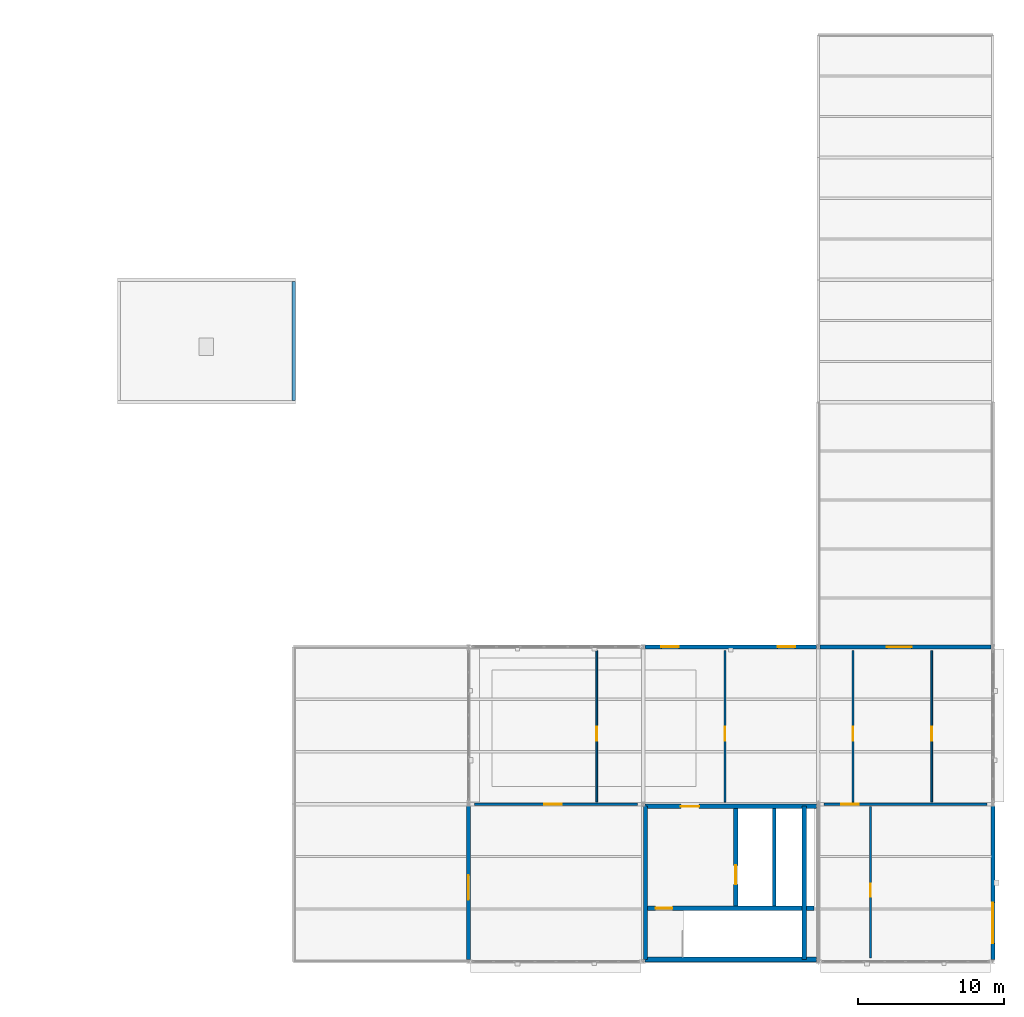
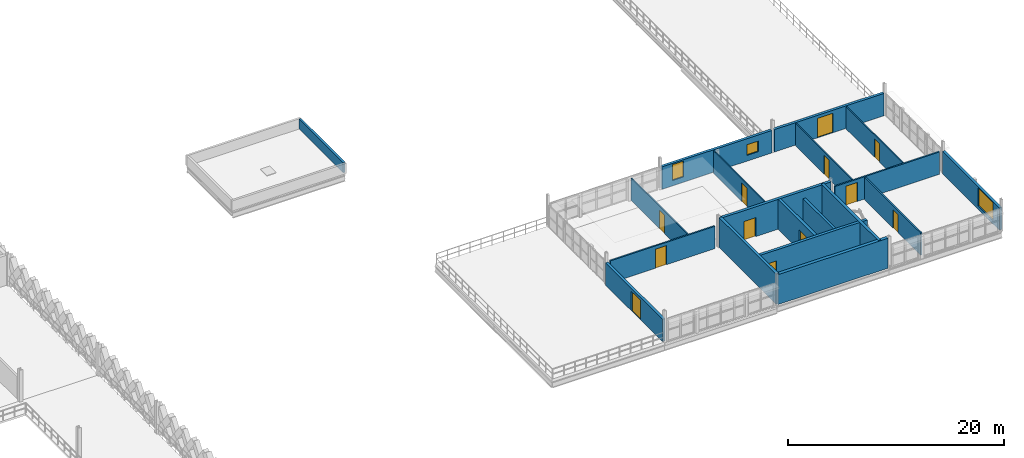
# One storey, part 52 of 62: 19 walls, 12 doors, 3 windows, 15 openings.
"""IFC4 building model written with IfcOpenShell, lengths in metres."""

from ifc_helpers import new_model, si_unit, direction, frame, frame_2d, origin, place, context, subcontext, project, spatial, rectangle, extrude, material, layer, layer_set, type_object, element, fill, save


model = new_model("IFC4")

# Units and contexts
model_context = context("Model", 3, precision=1e-05, world=origin(), true_north=direction((0.0, 1.0)))
body_context = subcontext(model_context, "Body", "Model", "MODEL_VIEW")
ifc_project = project(units=[si_unit("LENGTHUNIT", "METRE"), si_unit("AREAUNIT", "SQUARE_METRE"), si_unit("VOLUMEUNIT", "CUBIC_METRE"), si_unit("PLANEANGLEUNIT", "RADIAN"), si_unit("MASSUNIT", "GRAM", prefix="KILO"), si_unit("THERMODYNAMICTEMPERATUREUNIT", "KELVIN"), si_unit("POWERUNIT", "WATT")], contexts=[model_context])

# Site, building, storey
site_placement = place(None, origin())
site = spatial("IfcSite", under=ifc_project, at=site_placement, CompositionType="ELEMENT")
building_placement = place(site_placement, origin())
building = spatial("IfcBuilding", under=site, at=building_placement, Name="Tembeka Court Mobility Hub", CompositionType="ELEMENT")
storey_placement = place(building_placement, frame((0.0, 0.0, 16.199951171875)))
storey = spatial("IfcBuildingStorey", under=building, at=storey_placement, Name="L04", CompositionType="ELEMENT", Elevation=16.199951171875)

# Wall, opening, door
ifc_material_1 = material(Name="Precast concrete C45/55", Category="concrete")
ifc_layer_1 = layer(ifc_material_1, 0.280029296875)
ifc_layer_set_1 = layer_set([ifc_layer_1], Name="Precast concrete C45/55")
wall_type_1 = type_object("IfcWallType", Name="WL-EW02", PredefinedType="STANDARD", material=ifc_layer_set_1)
wall_1_placement = place(storey_placement, frame((140.39990234375, 0.1279296875, 0.0), z_axis=(0.0, 0.0, 1.0), x_axis=(0.0, 1.0, 0.0)))
wall_1 = element("IfcWall", 1, at=wall_1_placement, inside=storey, type_object=wall_type_1, Name="External wall EW02 (EW-L04-0105)", PredefinedType="STANDARD", context=body_context, shape_type="SweptSolid", body=[
    extrude(rectangle(XDim=10.544189453125, YDim=0.280029296875, at=frame_2d((5.27197265625, 0.0))), origin(), (0.0, 0.0, 1.0), 2.53515625),
])
opening_1_placement = place(wall_1_placement, frame((4.10009765625, 0.0, 0.0)))
opening_1 = element("IfcOpeningElement", 2, at=opening_1_placement, cuts=wall_1, Name="Opening ED03", PredefinedType="OPENING", context=body_context, shape_type="SweptSolid", body=[
    extrude(rectangle(XDim=1.699951171875, YDim=2.199951171875, at=frame_2d((0.85009765625, 1.10009765625))), frame((0.0, 0.14990234375, 0.0), z_axis=(0.0, -1.0, 0.0), x_axis=(1.0, 0.0, 0.0)), (0.0, 0.0, 1.0), 0.300048828125),
])
ifc_material_2 = material(Name="Powder-coated aluminium glazed doorset", Category="aluminium")
door_type_1 = type_object("IfcDoorType", Name="DR-ED03", OperationType="NOTDEFINED", PredefinedType="DOOR", material=ifc_material_2)
door_1_placement = place(opening_1_placement, origin())
door_1 = element("IfcDoor", 3, at=door_1_placement, inside=storey, type_object=door_type_1, Name="L04 west roof-garden door ED03-A", OperationType="DOUBLE_DOOR_SINGLE_SWING", OverallHeight=2.199951171875, OverallWidth=1.699951171875, PredefinedType="DOOR", context=body_context, shape_type="SweptSolid", body=[
    extrude(rectangle(XDim=1.699951171875, YDim=2.199951171875, at=frame_2d((0.85009765625, 1.10009765625))), frame((0.0, 0.02490234375, 0.0), z_axis=(0.0, -1.0, 0.0), x_axis=(1.0, 0.0, 0.0)), (0.0, 0.0, 1.0), 0.050048828125),
])
fill(opening_1, door_1)

wall_2_placement = place(storey_placement, frame((164.52587890625, 21.60009765625, 0.0), z_axis=(0.0, 0.0, 1.0), x_axis=(1.0, 0.0, 0.0)))
wall_2 = element("IfcWall", 4, at=wall_2_placement, inside=storey, type_object=wall_type_1, Name="External wall EW02 (EW-L04-0106)", PredefinedType="STANDARD", context=body_context, shape_type="SweptSolid", body=[
    extrude(rectangle(XDim=11.748046875, YDim=0.280029296875, at=frame_2d((5.8740234375, 0.0))), origin(), (0.0, 0.0, 1.0), 2.53515625),
])
opening_2_placement = place(wall_2_placement, frame((4.60009765625, 0.0, 0.0)))
opening_2 = element("IfcOpeningElement", 5, at=opening_2_placement, cuts=wall_2, Name="Opening ED03", PredefinedType="OPENING", context=body_context, shape_type="SweptSolid", body=[
    extrude(rectangle(XDim=1.699951171875, YDim=2.199951171875, at=frame_2d((0.85009765625, 1.10009765625))), frame((0.0, 0.14990234375, 0.0), z_axis=(0.0, -1.0, 0.0), x_axis=(1.0, 0.0, 0.0)), (0.0, 0.0, 1.0), 0.300048828125),
])
door_2_placement = place(opening_2_placement, origin())
door_2 = element("IfcDoor", 6, at=door_2_placement, inside=storey, type_object=door_type_1, Name="L04 east roof-garden door ED03-B", OperationType="DOUBLE_DOOR_SINGLE_SWING", OverallHeight=2.199951171875, OverallWidth=1.699951171875, PredefinedType="DOOR", context=body_context, shape_type="SweptSolid", body=[
    extrude(rectangle(XDim=1.699951171875, YDim=2.199951171875, at=frame_2d((0.85009765625, 1.10009765625))), frame((0.0, 0.02490234375, 0.0), z_axis=(0.0, -1.0, 0.0), x_axis=(1.0, 0.0, 0.0)), (0.0, 0.0, 1.0), 0.050048828125),
])
fill(opening_2, door_2)

# Wall, opening, window
wall_3_placement = place(storey_placement, frame((176.39990234375, 0.1279296875, 0.0), z_axis=(0.0, 0.0, 1.0), x_axis=(0.0, 1.0, 0.0)))
wall_3 = element("IfcWall", 7, at=wall_3_placement, inside=storey, type_object=wall_type_1, Name="External wall EW02 (EW-L04-0107)", PredefinedType="STANDARD", context=body_context, shape_type="SweptSolid", body=[
    extrude(rectangle(XDim=10.544189453125, YDim=0.280029296875, at=frame_2d((5.27197265625, 0.0))), origin(), (0.0, 0.0, 1.0), 2.53515625),
])
opening_3_placement = place(wall_3_placement, frame((1.1201171875, 0.0, 0.39501953125)))
opening_3 = element("IfcOpeningElement", 8, at=opening_3_placement, cuts=wall_3, Name="Opening WN17", PredefinedType="OPENING", context=body_context, shape_type="SweptSolid", body=[
    extrude(rectangle(XDim=2.800048828125, YDim=2.0, at=frame_2d((1.39990234375, 1.0))), frame((0.0, 0.14990234375, 0.0), z_axis=(0.0, -1.0, 0.0), x_axis=(1.0, 0.0, 0.0)), (0.0, 0.0, 1.0), 0.300048828125),
])
ifc_material_3 = material(Name="Laminated solar-control low-E glass", Category="glass")
window_type_1 = type_object("IfcWindowType", Name="WN-W17", PartitioningType="SINGLE_PANEL", PredefinedType="WINDOW", material=ifc_material_3)
window_1_placement = place(opening_3_placement, origin())
window_1 = element("IfcWindow", 9, at=window_1_placement, inside=storey, type_object=window_type_1, Name="Window WN17-0053", OverallHeight=2.0, OverallWidth=2.800048828125, PartitioningType="SINGLE_PANEL", PredefinedType="WINDOW", context=body_context, shape_type="SweptSolid", body=[
    extrude(rectangle(XDim=2.800048828125, YDim=2.0, at=frame_2d((1.39990234375, 1.0))), frame((0.0, 0.030029296875, 0.0), z_axis=(0.0, -1.0, 0.0), x_axis=(1.0, 0.0, 0.0)), (0.0, 0.0, 1.0), 0.06005859375),
])
fill(opening_3, window_1)

# Wall, openings, windows
wall_4_placement = place(storey_placement, frame((152.52587890625, 21.60009765625, 0.0), z_axis=(0.0, 0.0, 1.0), x_axis=(1.0, 0.0, 0.0)))
wall_4 = element("IfcWall", 10, at=wall_4_placement, inside=storey, type_object=wall_type_1, Name="External wall EW02 (EW-L04-0108)", PredefinedType="STANDARD", context=body_context, shape_type="SweptSolid", body=[
    extrude(rectangle(XDim=11.748046875, YDim=0.280029296875, at=frame_2d((5.8740234375, 0.0))), origin(), (0.0, 0.0, 1.0), 2.53515625),
])
opening_4_placement = place(wall_4_placement, frame((1.1201171875, 0.0, 0.594970703125)))
opening_4 = element("IfcOpeningElement", 11, at=opening_4_placement, cuts=wall_4, Name="Opening WN19", PredefinedType="OPENING", context=body_context, shape_type="SweptSolid", body=[
    extrude(rectangle(XDim=1.199951171875, YDim=1.800048828125, at=frame_2d((0.60009765625, 0.89990234375))), frame((0.0, 0.14990234375, 0.0), z_axis=(0.0, -1.0, 0.0), x_axis=(1.0, 0.0, 0.0)), (0.0, 0.0, 1.0), 0.300048828125),
])
opening_5_placement = place(wall_4_placement, frame((9.090087890625, 0.0, 0.64990234375)))
opening_5 = element("IfcOpeningElement", 12, at=opening_5_placement, cuts=wall_4, Name="Opening WN20", PredefinedType="OPENING", context=body_context, shape_type="SweptSolid", body=[
    extrude(rectangle(XDim=1.199951171875, YDim=1.199951171875, at=frame_2d((0.60009765625, 0.60009765625))), frame((0.0, 0.14990234375, 0.0), z_axis=(0.0, -1.0, 0.0), x_axis=(1.0, 0.0, 0.0)), (0.0, 0.0, 1.0), 0.300048828125),
])
window_type_2 = type_object("IfcWindowType", Name="WN-W19", PartitioningType="SINGLE_PANEL", PredefinedType="WINDOW", material=ifc_material_3)
window_2_placement = place(opening_4_placement, origin())
window_2 = element("IfcWindow", 13, at=window_2_placement, inside=storey, type_object=window_type_2, Name="Window WN19-0054", OverallHeight=1.800048828125, OverallWidth=1.199951171875, PartitioningType="SINGLE_PANEL", PredefinedType="WINDOW", context=body_context, shape_type="SweptSolid", body=[
    extrude(rectangle(XDim=1.199951171875, YDim=1.800048828125, at=frame_2d((0.60009765625, 0.89990234375))), frame((0.0, 0.030029296875, 0.0), z_axis=(0.0, -1.0, 0.0), x_axis=(1.0, 0.0, 0.0)), (0.0, 0.0, 1.0), 0.06005859375),
])
fill(opening_4, window_2)
window_type_3 = type_object("IfcWindowType", Name="WN-W20", PartitioningType="SINGLE_PANEL", PredefinedType="WINDOW", material=ifc_material_3)
window_3_placement = place(opening_5_placement, origin())
window_3 = element("IfcWindow", 14, at=window_3_placement, inside=storey, type_object=window_type_3, Name="Window WN20-0055", OverallHeight=1.199951171875, OverallWidth=1.199951171875, PartitioningType="SINGLE_PANEL", PredefinedType="WINDOW", context=body_context, shape_type="SweptSolid", body=[
    extrude(rectangle(XDim=1.199951171875, YDim=1.199951171875, at=frame_2d((0.60009765625, 0.60009765625))), frame((0.0, 0.030029296875, 0.0), z_axis=(0.0, -1.0, 0.0), x_axis=(1.0, 0.0, 0.0)), (0.0, 0.0, 1.0), 0.06005859375),
])
fill(opening_5, window_3)

# Wall
ifc_material_4 = material(Name="Concrete C40/50", Category="concrete")
ifc_layer_2 = layer(ifc_material_4, 0.25)
ifc_layer_set_2 = layer_set([ifc_layer_2], Name="Concrete C40/50")
wall_type_2 = type_object("IfcWallType", Name="WL-IW01", PredefinedType="PARTITIONING", material=ifc_layer_set_2)
wall_5_placement = place(storey_placement, frame((161.39990234375, 3.800048828125, 0.0), z_axis=(0.0, 0.0, 1.0), x_axis=(0.0, 1.0, 0.0)))
element("IfcWall", 15, at=wall_5_placement, inside=storey, type_object=wall_type_2, Name="Wall IW01 (IW-L04-0335)", PredefinedType="PARTITIONING", context=body_context, shape_type="SweptSolid", body=[
    extrude(rectangle(XDim=6.699951171875, YDim=0.25, at=frame_2d((3.35009765625, 0.0))), origin(), (0.0, 0.0, 1.0), 2.525146484375),
])

# Wall, opening, door
ifc_material_5 = material(Name="Acoustic metal-stud gypsum partition", Category="masonry")
ifc_layer_3 = layer(ifc_material_5, 0.159912109375)
ifc_layer_set_3 = layer_set([ifc_layer_3], Name="Acoustic metal-stud gypsum partition")
wall_type_3 = type_object("IfcWallType", Name="WL-IW04", PredefinedType="PARTITIONING", material=ifc_layer_set_3)
wall_6_placement = place(storey_placement, frame((140.800048828125, 10.800048828125, 0.0), z_axis=(0.0, 0.0, 1.0), x_axis=(1.0, 0.0, 0.0)))
wall_6 = element("IfcWall", 16, at=wall_6_placement, inside=storey, type_object=wall_type_3, Name="Wall IW04 (IW-L04-0475)", PredefinedType="PARTITIONING", context=body_context, shape_type="SweptSolid", body=[
    extrude(rectangle(XDim=11.199951171875, YDim=0.159912109375, at=frame_2d((5.60009765625, 0.0))), origin(), (0.0, 0.0, 1.0), 2.525146484375),
])
opening_6_placement = place(wall_6_placement, frame((4.800048828125, 0.0, 0.0)))
opening_6 = element("IfcOpeningElement", 17, at=opening_6_placement, cuts=wall_6, Name="Opening ID04", PredefinedType="OPENING", context=body_context, shape_type="SweptSolid", body=[
    extrude(rectangle(XDim=1.199951171875, YDim=2.14990234375, at=frame_2d((0.60009765625, 1.074951171875))), frame((0.0, 0.08984375, 0.0), z_axis=(0.0, -1.0, 0.0), x_axis=(1.0, 0.0, 0.0)), (0.0, 0.0, 1.0), 0.179931640625),
])
door_type_2 = type_object("IfcDoorType", Name="DR-ID04", OperationType="NOTDEFINED", PredefinedType="DOOR", material=ifc_material_2)
door_3_placement = place(opening_6_placement, origin())
door_3 = element("IfcDoor", 18, at=door_3_placement, inside=storey, type_object=door_type_2, Name="Door ID04-0246", OperationType="SINGLE_SWING_RIGHT", OverallHeight=2.14990234375, OverallWidth=1.199951171875, PredefinedType="DOOR", context=body_context, shape_type="SweptSolid", body=[
    extrude(rectangle(XDim=1.199951171875, YDim=2.14990234375, at=frame_2d((0.60009765625, 1.074951171875))), frame((0.0, 0.02490234375, 0.0), z_axis=(0.0, -1.0, 0.0), x_axis=(1.0, 0.0, 0.0)), (0.0, 0.0, 1.0), 0.050048828125),
])
fill(opening_6, door_3)

wall_7_placement = place(storey_placement, frame((164.800048828125, 10.800048828125, 0.0), z_axis=(0.0, 0.0, 1.0), x_axis=(1.0, 0.0, 0.0)))
wall_7 = element("IfcWall", 19, at=wall_7_placement, inside=storey, type_object=wall_type_3, Name="Wall IW04 (IW-L04-0476)", PredefinedType="PARTITIONING", context=body_context, shape_type="SweptSolid", body=[
    extrude(rectangle(XDim=11.199951171875, YDim=0.159912109375, at=frame_2d((5.60009765625, 0.0))), origin(), (0.0, 0.0, 1.0), 2.525146484375),
])
opening_7_placement = place(wall_7_placement, frame((1.199951171875, 0.0, 0.0)))
opening_7 = element("IfcOpeningElement", 20, at=opening_7_placement, cuts=wall_7, Name="Opening ID04", PredefinedType="OPENING", context=body_context, shape_type="SweptSolid", body=[
    extrude(rectangle(XDim=1.199951171875, YDim=2.14990234375, at=frame_2d((0.60009765625, 1.074951171875))), frame((0.0, 0.08984375, 0.0), z_axis=(0.0, -1.0, 0.0), x_axis=(1.0, 0.0, 0.0)), (0.0, 0.0, 1.0), 0.179931640625),
])
door_4_placement = place(opening_7_placement, origin())
door_4 = element("IfcDoor", 21, at=door_4_placement, inside=storey, type_object=door_type_2, Name="Door ID04-0247", OperationType="SINGLE_SWING_LEFT", OverallHeight=2.14990234375, OverallWidth=1.199951171875, PredefinedType="DOOR", context=body_context, shape_type="SweptSolid", body=[
    extrude(rectangle(XDim=1.199951171875, YDim=2.14990234375, at=frame_2d((0.60009765625, 1.074951171875))), frame((0.0, 0.02490234375, 0.0), z_axis=(0.0, -1.0, 0.0), x_axis=(1.0, 0.0, 0.0)), (0.0, 0.0, 1.0), 0.050048828125),
])
fill(opening_7, door_4)

wall_8_placement = place(storey_placement, frame((168.0, 0.25, 0.0), z_axis=(0.0, 0.0, 1.0), x_axis=(0.0, 1.0, 0.0)))
wall_8 = element("IfcWall", 22, at=wall_8_placement, inside=storey, type_object=wall_type_3, Name="Wall IW04 (IW-L04-0477)", PredefinedType="PARTITIONING", context=body_context, shape_type="SweptSolid", body=[
    extrude(rectangle(XDim=10.39990234375, YDim=0.159912109375, at=frame_2d((5.199951171875, 0.0))), origin(), (0.0, 0.0, 1.0), 2.525146484375),
])
opening_8_placement = place(wall_8_placement, frame((4.199951171875, 0.0, 0.0)))
opening_8 = element("IfcOpeningElement", 23, at=opening_8_placement, cuts=wall_8, Name="Opening ID08", PredefinedType="OPENING", context=body_context, shape_type="SweptSolid", body=[
    extrude(rectangle(XDim=0.89990234375, YDim=2.050048828125, at=frame_2d((0.449951171875, 1.02490234375))), frame((0.0, 0.08984375, 0.0), z_axis=(0.0, -1.0, 0.0), x_axis=(1.0, 0.0, 0.0)), (0.0, 0.0, 1.0), 0.179931640625),
])
door_type_3 = type_object("IfcDoorType", Name="DR-ID08", OperationType="NOTDEFINED", PredefinedType="DOOR", material=ifc_material_2)
door_5_placement = place(opening_8_placement, origin())
door_5 = element("IfcDoor", 24, at=door_5_placement, inside=storey, type_object=door_type_3, Name="Door ID08-0248", OperationType="SINGLE_SWING_RIGHT", OverallHeight=2.050048828125, OverallWidth=0.89990234375, PredefinedType="DOOR", context=body_context, shape_type="SweptSolid", body=[
    extrude(rectangle(XDim=0.89990234375, YDim=2.050048828125, at=frame_2d((0.449951171875, 1.02490234375))), frame((0.0, 0.02490234375, 0.0), z_axis=(0.0, -1.0, 0.0), x_axis=(1.0, 0.0, 0.0)), (0.0, 0.0, 1.0), 0.050048828125),
])
fill(opening_8, door_5)

ifc_material_6 = material(Name="Acoustic folding partition panel", Category="aluminium")
ifc_layer_4 = layer(ifc_material_6, 0.1201171875)
ifc_layer_set_4 = layer_set([ifc_layer_4], Name="Acoustic folding partition panel")
wall_type_4 = type_object("IfcWallType", Name="WL-MV01", PredefinedType="MOVABLE", material=ifc_layer_set_4)
wall_9_placement = place(storey_placement, frame((149.199951171875, 10.949951171875, 0.0), z_axis=(0.0, 0.0, 1.0), x_axis=(0.0, 1.0, 0.0)))
wall_9 = element("IfcWall", 25, at=wall_9_placement, inside=storey, type_object=wall_type_4, Name="Wall MV01 (IW-L04-0478)", PredefinedType="MOVABLE", context=body_context, shape_type="SweptSolid", body=[
    extrude(rectangle(XDim=10.400146484375, YDim=0.1201171875, at=frame_2d((5.2001953125, 0.0))), origin(), (0.0, 0.0, 1.0), 2.525146484375),
])
opening_9_placement = place(wall_9_placement, frame((4.199951171875, 0.0, 0.0)))
opening_9 = element("IfcOpeningElement", 26, at=opening_9_placement, cuts=wall_9, Name="Opening ID01", PredefinedType="OPENING", context=body_context, shape_type="SweptSolid", body=[
    extrude(rectangle(XDim=0.949951171875, YDim=2.10009765625, at=frame_2d((0.47509765625, 1.050048828125))), frame((0.0, 0.070068359375, 0.0), z_axis=(0.0, -1.0, 0.0), x_axis=(1.0, 0.0, 0.0)), (0.0, 0.0, 1.0), 0.14013671875),
])
door_type_4 = type_object("IfcDoorType", Name="DR-ID01", OperationType="NOTDEFINED", PredefinedType="DOOR", material=ifc_material_2)
door_6_placement = place(opening_9_placement, origin())
door_6 = element("IfcDoor", 27, at=door_6_placement, inside=storey, type_object=door_type_4, Name="Door ID01-0249", OperationType="SINGLE_SWING_LEFT", OverallHeight=2.10009765625, OverallWidth=0.949951171875, PredefinedType="DOOR", context=body_context, shape_type="SweptSolid", body=[
    extrude(rectangle(XDim=0.949951171875, YDim=2.10009765625, at=frame_2d((0.47509765625, 1.050048828125))), frame((0.0, 0.02490234375, 0.0), z_axis=(0.0, -1.0, 0.0), x_axis=(1.0, 0.0, 0.0)), (0.0, 0.0, 1.0), 0.050048828125),
])
fill(opening_9, door_6)

wall_10_placement = place(storey_placement, frame((158.0, 10.949951171875, 0.0), z_axis=(0.0, 0.0, 1.0), x_axis=(0.0, 1.0, 0.0)))
wall_10 = element("IfcWall", 28, at=wall_10_placement, inside=storey, type_object=wall_type_4, Name="Wall MV01 (IW-L04-0479)", PredefinedType="MOVABLE", context=body_context, shape_type="SweptSolid", body=[
    extrude(rectangle(XDim=10.400146484375, YDim=0.1201171875, at=frame_2d((5.2001953125, 0.0))), origin(), (0.0, 0.0, 1.0), 2.525146484375),
])
opening_10_placement = place(wall_10_placement, frame((4.199951171875, 0.0, 0.0)))
opening_10 = element("IfcOpeningElement", 29, at=opening_10_placement, cuts=wall_10, Name="Opening ID01", PredefinedType="OPENING", context=body_context, shape_type="SweptSolid", body=[
    extrude(rectangle(XDim=0.949951171875, YDim=2.10009765625, at=frame_2d((0.47509765625, 1.050048828125))), frame((0.0, 0.070068359375, 0.0), z_axis=(0.0, -1.0, 0.0), x_axis=(1.0, 0.0, 0.0)), (0.0, 0.0, 1.0), 0.14013671875),
])
door_7_placement = place(opening_10_placement, origin())
door_7 = element("IfcDoor", 30, at=door_7_placement, inside=storey, type_object=door_type_4, Name="Door ID01-0250", OperationType="SINGLE_SWING_RIGHT", OverallHeight=2.10009765625, OverallWidth=0.949951171875, PredefinedType="DOOR", context=body_context, shape_type="SweptSolid", body=[
    extrude(rectangle(XDim=0.949951171875, YDim=2.10009765625, at=frame_2d((0.47509765625, 1.050048828125))), frame((0.0, 0.02490234375, 0.0), z_axis=(0.0, -1.0, 0.0), x_axis=(1.0, 0.0, 0.0)), (0.0, 0.0, 1.0), 0.050048828125),
])
fill(opening_10, door_7)

wall_11_placement = place(storey_placement, frame((166.800048828125, 10.949951171875, 0.0), z_axis=(0.0, 0.0, 1.0), x_axis=(0.0, 1.0, 0.0)))
wall_11 = element("IfcWall", 31, at=wall_11_placement, inside=storey, type_object=wall_type_4, Name="Wall MV01 (IW-L04-0480)", PredefinedType="MOVABLE", context=body_context, shape_type="SweptSolid", body=[
    extrude(rectangle(XDim=10.400146484375, YDim=0.1201171875, at=frame_2d((5.2001953125, 0.0))), origin(), (0.0, 0.0, 1.0), 2.525146484375),
])
opening_11_placement = place(wall_11_placement, frame((4.199951171875, 0.0, 0.0)))
opening_11 = element("IfcOpeningElement", 32, at=opening_11_placement, cuts=wall_11, Name="Opening ID01", PredefinedType="OPENING", context=body_context, shape_type="SweptSolid", body=[
    extrude(rectangle(XDim=0.949951171875, YDim=2.10009765625, at=frame_2d((0.47509765625, 1.050048828125))), frame((0.0, 0.070068359375, 0.0), z_axis=(0.0, -1.0, 0.0), x_axis=(1.0, 0.0, 0.0)), (0.0, 0.0, 1.0), 0.14013671875),
])
door_8_placement = place(opening_11_placement, origin())
door_8 = element("IfcDoor", 33, at=door_8_placement, inside=storey, type_object=door_type_4, Name="Door ID01-0251", OperationType="SINGLE_SWING_LEFT", OverallHeight=2.10009765625, OverallWidth=0.949951171875, PredefinedType="DOOR", context=body_context, shape_type="SweptSolid", body=[
    extrude(rectangle(XDim=0.949951171875, YDim=2.10009765625, at=frame_2d((0.47509765625, 1.050048828125))), frame((0.0, 0.02490234375, 0.0), z_axis=(0.0, -1.0, 0.0), x_axis=(1.0, 0.0, 0.0)), (0.0, 0.0, 1.0), 0.050048828125),
])
fill(opening_11, door_8)

wall_12_placement = place(storey_placement, frame((172.199951171875, 10.949951171875, 0.0), z_axis=(0.0, 0.0, 1.0), x_axis=(0.0, 1.0, 0.0)))
wall_12 = element("IfcWall", 34, at=wall_12_placement, inside=storey, type_object=wall_type_4, Name="Wall MV01 (IW-L04-0481)", PredefinedType="MOVABLE", context=body_context, shape_type="SweptSolid", body=[
    extrude(rectangle(XDim=10.400146484375, YDim=0.1201171875, at=frame_2d((5.2001953125, 0.0))), origin(), (0.0, 0.0, 1.0), 2.525146484375),
])
opening_12_placement = place(wall_12_placement, frame((4.199951171875, 0.0, 0.0)))
opening_12 = element("IfcOpeningElement", 35, at=opening_12_placement, cuts=wall_12, Name="Opening ID01", PredefinedType="OPENING", context=body_context, shape_type="SweptSolid", body=[
    extrude(rectangle(XDim=0.949951171875, YDim=2.10009765625, at=frame_2d((0.47509765625, 1.050048828125))), frame((0.0, 0.070068359375, 0.0), z_axis=(0.0, -1.0, 0.0), x_axis=(1.0, 0.0, 0.0)), (0.0, 0.0, 1.0), 0.14013671875),
])
door_9_placement = place(opening_12_placement, origin())
door_9 = element("IfcDoor", 36, at=door_9_placement, inside=storey, type_object=door_type_4, Name="Door ID01-0252", OperationType="SINGLE_SWING_RIGHT", OverallHeight=2.10009765625, OverallWidth=0.949951171875, PredefinedType="DOOR", context=body_context, shape_type="SweptSolid", body=[
    extrude(rectangle(XDim=0.949951171875, YDim=2.10009765625, at=frame_2d((0.47509765625, 1.050048828125))), frame((0.0, 0.02490234375, 0.0), z_axis=(0.0, -1.0, 0.0), x_axis=(1.0, 0.0, 0.0)), (0.0, 0.0, 1.0), 0.050048828125),
])
fill(opening_12, door_9)

# Wall
ifc_layer_5 = layer(ifc_material_1, 0.219970703125)
ifc_layer_set_5 = layer_set([ifc_layer_5], Name="Precast concrete C45/55")
wall_type_5 = type_object("IfcWallType", Name="WL-PP01", PredefinedType="PARAPET", material=ifc_layer_set_5)
wall_13_placement = place(storey_placement, frame((128.39990234375, 38.514892578125, 0.0), z_axis=(0.0, 0.0, 1.0), x_axis=(0.0, 1.0, 0.0)))
element("IfcWall", 37, at=wall_13_placement, inside=storey, type_object=wall_type_5, Name="Roof parapet wall PP01-02", PredefinedType="PARAPET", context=body_context, shape_type="SweptSolid", body=[
    extrude(rectangle(XDim=8.170166015625, YDim=0.219970703125, at=frame_2d((4.0849609375, 0.0))), origin(), (0.0, 0.0, 1.0), 1.150146484375),
])

# Wall, opening, door
ifc_layer_6 = layer(ifc_material_4, 0.300048828125)
ifc_layer_set_6 = layer_set([ifc_layer_6], Name="Concrete C40/50")
wall_type_6 = type_object("IfcWallType", Name="WL-SW01", PredefinedType="SHEAR", material=ifc_layer_set_6)
wall_14_placement = place(storey_placement, frame((152.52587890625, 10.64990234375, 0.0), z_axis=(0.0, 0.0, 1.0), x_axis=(1.0, 0.0, 0.0)))
wall_14 = element("IfcWall", 38, at=wall_14_placement, inside=storey, type_object=wall_type_6, Name="Wall SW01 (IW-L04-0330)", PredefinedType="SHEAR", context=body_context, shape_type="SweptSolid", body=[
    extrude(rectangle(XDim=11.748046875, YDim=0.300048828125, at=frame_2d((5.8740234375, 0.0))), origin(), (0.0, 0.0, 1.0), 3.380126953125),
])
opening_13_placement = place(wall_14_placement, frame((2.4541015625, 0.0, 0.0)))
opening_13 = element("IfcOpeningElement", 39, at=opening_13_placement, cuts=wall_14, Name="Opening FD01", PredefinedType="OPENING", context=body_context, shape_type="SweptSolid", body=[
    extrude(rectangle(XDim=1.25, YDim=2.14990234375, at=frame_2d((0.625, 1.074951171875))), frame((0.0, 0.16015625, 0.0), z_axis=(0.0, -1.0, 0.0), x_axis=(1.0, 0.0, 0.0)), (0.0, 0.0, 1.0), 0.320068359375),
])
ifc_material_7 = material(Name="Galvanised steel fire/shutter doorset", Category="steel")
door_type_5 = type_object("IfcDoorType", Name="DR-FD01", OperationType="NOTDEFINED", PredefinedType="DOOR", material=ifc_material_7)
door_10_placement = place(opening_13_placement, origin())
door_10 = element("IfcDoor", 40, at=door_10_placement, inside=storey, type_object=door_type_5, Name="Door FD01-0146", OperationType="SINGLE_SWING_RIGHT", OverallHeight=2.14990234375, OverallWidth=1.25, PredefinedType="DOOR", context=body_context, shape_type="SweptSolid", body=[
    extrude(rectangle(XDim=1.25, YDim=2.14990234375, at=frame_2d((0.625, 1.074951171875))), frame((0.0, 0.02490234375, 0.0), z_axis=(0.0, -1.0, 0.0), x_axis=(1.0, 0.0, 0.0)), (0.0, 0.0, 1.0), 0.050048828125),
])
fill(opening_13, door_10)

# Walls
for number, where, z_axis, x_axis, name in (
    (41, (152.550048828125, 0.1279296875, 0.0), (0.0, 0.0, 1.0), (0.0, 1.0, 0.0), "Wall SW01 (IW-L04-0331)"),
    (42, (163.449951171875, 0.1279296875, 0.0), (0.0, 0.0, 1.0), (0.0, 1.0, 0.0), "Wall SW01 (IW-L04-0332)"),
):
    element("IfcWall", number, at=place(storey_placement, frame(where, z_axis=z_axis, x_axis=x_axis)), inside=storey, type_object=wall_type_6, Name=name, PredefinedType="SHEAR", context=body_context, shape_type="SweptSolid", body=[
        extrude(rectangle(XDim=10.544189453125, YDim=0.300048828125, at=frame_2d((5.27197265625, 0.0))), origin(), (0.0, 0.0, 1.0), 3.380126953125),
    ])

# Wall, opening, door
wall_15_placement = place(storey_placement, frame((152.699951171875, 3.64990234375, 0.0), z_axis=(0.0, 0.0, 1.0), x_axis=(1.0, 0.0, 0.0)))
wall_15 = element("IfcWall", 43, at=wall_15_placement, inside=storey, type_object=wall_type_6, Name="Wall SW01 (IW-L04-0333)", PredefinedType="SHEAR", context=body_context, shape_type="SweptSolid", body=[
    extrude(rectangle(XDim=11.400146484375, YDim=0.300048828125, at=frame_2d((5.7001953125, 0.0))), origin(), (0.0, 0.0, 1.0), 3.380126953125),
])
opening_14_placement = place(wall_15_placement, frame((0.550048828125, 0.0, 0.0)))
opening_14 = element("IfcOpeningElement", 44, at=opening_14_placement, cuts=wall_15, Name="Opening FD03", PredefinedType="OPENING", context=body_context, shape_type="SweptSolid", body=[
    extrude(rectangle(XDim=1.14990234375, YDim=2.14990234375, at=frame_2d((0.574951171875, 1.074951171875))), frame((0.0, 0.16015625, 0.0), z_axis=(0.0, -1.0, 0.0), x_axis=(1.0, 0.0, 0.0)), (0.0, 0.0, 1.0), 0.320068359375),
])
door_type_6 = type_object("IfcDoorType", Name="DR-FD03", OperationType="NOTDEFINED", PredefinedType="DOOR", material=ifc_material_7)
door_11_placement = place(opening_14_placement, origin())
door_11 = element("IfcDoor", 45, at=door_11_placement, inside=storey, type_object=door_type_6, Name="Door FD03-0147", OperationType="SINGLE_SWING_LEFT", OverallHeight=2.14990234375, OverallWidth=1.14990234375, PredefinedType="DOOR", context=body_context, shape_type="SweptSolid", body=[
    extrude(rectangle(XDim=1.14990234375, YDim=2.14990234375, at=frame_2d((0.574951171875, 1.074951171875))), frame((0.0, 0.02490234375, 0.0), z_axis=(0.0, -1.0, 0.0), x_axis=(1.0, 0.0, 0.0)), (0.0, 0.0, 1.0), 0.050048828125),
])
fill(opening_14, door_11)

wall_16_placement = place(storey_placement, frame((158.75, 3.800048828125, 0.0), z_axis=(0.0, 0.0, 1.0), x_axis=(0.0, 1.0, 0.0)))
wall_16 = element("IfcWall", 46, at=wall_16_placement, inside=storey, type_object=wall_type_6, Name="Wall SW01 (IW-L04-0334)", PredefinedType="SHEAR", context=body_context, shape_type="SweptSolid", body=[
    extrude(rectangle(XDim=6.699951171875, YDim=0.300048828125, at=frame_2d((3.35009765625, 0.0))), origin(), (0.0, 0.0, 1.0), 3.380126953125),
])
opening_15_placement = place(wall_16_placement, frame((1.5, 0.0, 0.0)))
opening_15 = element("IfcOpeningElement", 47, at=opening_15_placement, cuts=wall_16, Name="Opening LD02", PredefinedType="OPENING", context=body_context, shape_type="SweptSolid", body=[
    extrude(rectangle(XDim=1.300048828125, YDim=2.300048828125, at=frame_2d((0.64990234375, 1.14990234375))), frame((0.0, 0.16015625, 0.0), z_axis=(0.0, -1.0, 0.0), x_axis=(1.0, 0.0, 0.0)), (0.0, 0.0, 1.0), 0.320068359375),
])
door_type_7 = type_object("IfcDoorType", Name="DR-LD02", OperationType="SLIDING_TO_LEFT", PredefinedType="DOOR", material=ifc_material_7)
door_12_placement = place(opening_15_placement, origin())
door_12 = element("IfcDoor", 48, at=door_12_placement, inside=storey, type_object=door_type_7, Name="Lift LF08 landing door L04", OperationType="SLIDING_TO_LEFT", OverallHeight=2.300048828125, OverallWidth=1.300048828125, PredefinedType="DOOR", context=body_context, shape_type="SweptSolid", body=[
    extrude(rectangle(XDim=1.300048828125, YDim=2.300048828125, at=frame_2d((0.64990234375, 1.14990234375))), frame((0.0, 0.02490234375, 0.0), z_axis=(0.0, -1.0, 0.0), x_axis=(1.0, 0.0, 0.0)), (0.0, 0.0, 1.0), 0.050048828125),
])
fill(opening_15, door_12)

# Wall
ifc_layer_7 = layer(ifc_material_4, 0.35009765625)
ifc_layer_set_7 = layer_set([ifc_layer_7], Name="Concrete C40/50")
wall_type_7 = type_object("IfcWallType", Name="WL-SW02", PredefinedType="SHEAR", material=ifc_layer_set_7)
wall_17_placement = place(storey_placement, frame((152.52587890625, 0.14990234375, 0.0), z_axis=(0.0, 0.0, 1.0), x_axis=(1.0, 0.0, 0.0)))
element("IfcWall", 49, at=wall_17_placement, inside=storey, type_object=wall_type_7, Name="Wall SW02 (IW-L04-0329)", PredefinedType="SHEAR", context=body_context, shape_type="SweptSolid", body=[
    extrude(rectangle(XDim=11.748046875, YDim=0.35009765625, at=frame_2d((5.8740234375, 0.0))), origin(), (0.0, 0.0, 1.0), 3.380126953125),
])

save(model, "model.ifc")
